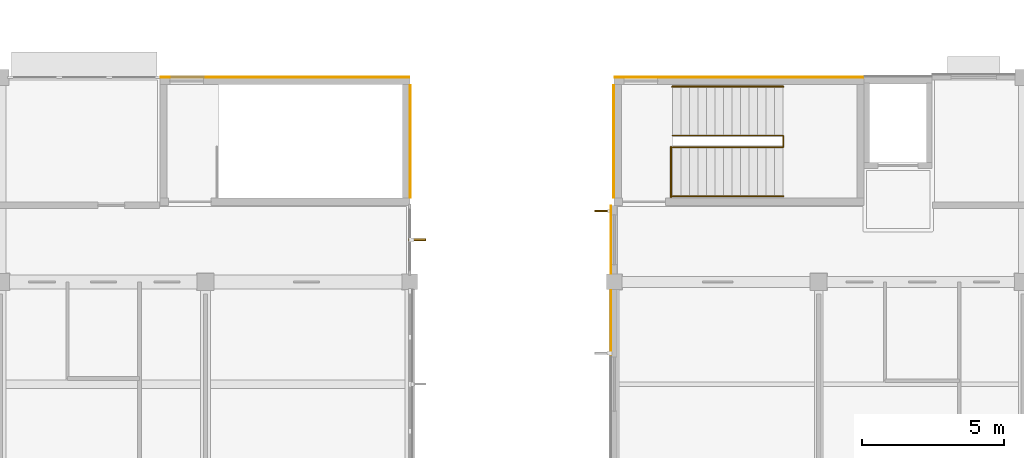
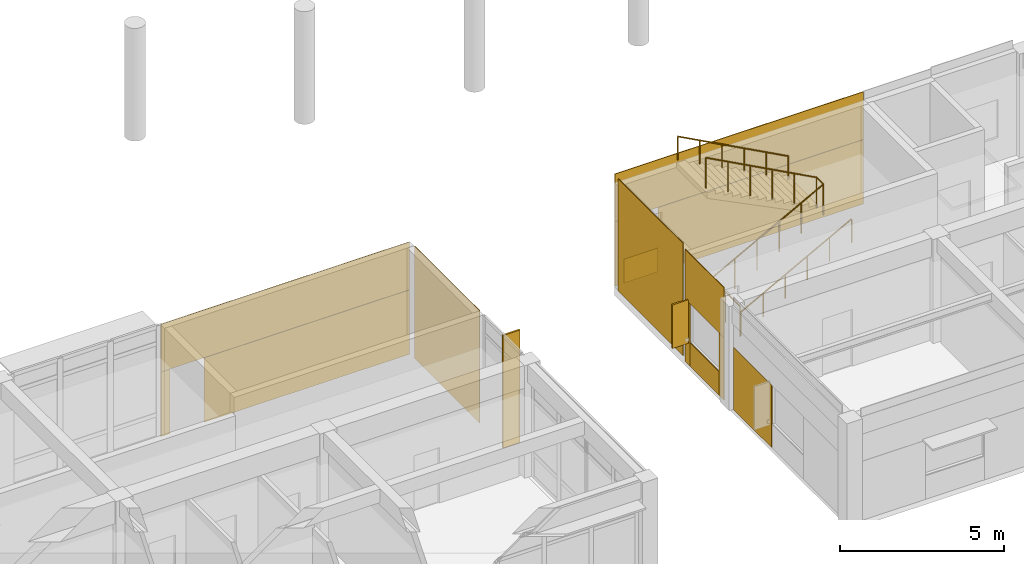
# One storey, part 32 of 41: 14 coverings, 4 railings, 2 shading devices.
"""IFC4 building model written with IfcOpenShell, lengths in metres."""

from ifc_helpers import new_model, si_unit, direction, frame, origin, origin_2d, place, context, subcontext, project, spatial, rectangle, circle, extrude, material, layer, layer_set, type_object, element, save


model = new_model("IFC4")

# Units and contexts
model_context = context("Model", 3, precision=1e-05, world=origin(), true_north=direction((0.0, 1.0)))
body_context = subcontext(model_context, "Body", "Model", "MODEL_VIEW")
ifc_project = project(units=[si_unit("LENGTHUNIT", "METRE"), si_unit("AREAUNIT", "SQUARE_METRE"), si_unit("VOLUMEUNIT", "CUBIC_METRE"), si_unit("PLANEANGLEUNIT", "RADIAN"), si_unit("MASSUNIT", "GRAM", prefix="KILO")], contexts=[model_context])

# Site, building, storey
site_placement = place(None, origin())
site = spatial("IfcSite", under=ifc_project, at=site_placement, CompositionType="ELEMENT")
building_placement = place(site_placement, origin())
building = spatial("IfcBuilding", under=site, at=building_placement, Name="Namkhue Oval Health Centre", CompositionType="ELEMENT")
storey_placement = place(building_placement, frame((0.0, 0.0, 13.800048828125)))
storey = spatial("IfcBuildingStorey", under=building, at=storey_placement, Name="L03", CompositionType="ELEMENT", Elevation=13.800048828125)

# Railings
ifc_material_1 = material(Name="Brushed stainless steel 316L balustrade with laminated glass infill", Category="steel")
railing_type_1 = type_object("IfcRailingType", Name="INTERIOR BALUSTRADE GUARD 1150", PredefinedType="BALUSTRADE", material=ifc_material_1)
railing_1_placement = place(storey_placement, frame((95.60009765625, 24.590087890625, 0.0)))
element("IfcRailing", 1, at=railing_1_placement, inside=storey, type_object=railing_type_1, Name="Stair ST-09 L03 Landing Well Edge Guard", PredefinedType="BALUSTRADE", context=body_context, shape_type="SweptSolid", body=[
    extrude(circle(Radius=0.02392578125, at=origin_2d()), frame((0.0, 0.0, 1.1259765625), z_axis=(0.0, 1.0, 0.0), x_axis=(-1.0, 0.0, 0.0)), (0.0, 0.0, 1.0), 1.77001953125),
    extrude(circle(Radius=0.02099609375, at=origin_2d()), origin(), (0.0, 0.0, 1.0), 1.101806640625),
    extrude(circle(Radius=0.02099609375, at=origin_2d()), frame((0.0, 0.885009765625, 0.0)), (0.0, 0.0, 1.0), 1.101806640625),
    extrude(circle(Radius=0.02099609375, at=origin_2d()), frame((0.0, 1.77001953125, 0.0)), (0.0, 0.0, 1.0), 1.101806640625),
])
railing_2_placement = place(storey_placement, frame((95.64990234375, 26.340087890625, 0.0)))
element("IfcRailing", 2, at=railing_2_placement, inside=storey, type_object=railing_type_1, Name="Stair ST-09 L03 Inner Well Guard", PredefinedType="BALUSTRADE", context=body_context, shape_type="SweptSolid", body=[
    extrude(circle(Radius=0.02392578125, at=origin_2d()), frame((0.0, 0.0, 1.1259765625), z_axis=(0.88049233674, 0.0, 0.474060381114), x_axis=(0.0, 1.0, 0.0)), (0.0, 0.0, 1.0), 4.429443359375),
    extrude(circle(Radius=0.02392578125, at=origin_2d()), frame((3.900146484375, 0.0, 3.2255859375), z_axis=(0.0, 1.0, 0.0), x_axis=(-1.0, 0.0, 0.0)), (0.0, 0.0, 1.0), 0.419921875),
    extrude(circle(Radius=0.02392578125, at=origin_2d()), frame((3.900146484375, 0.419921875, 3.2255859375), z_axis=(-0.880469330154, 0.0, 0.474103109733), x_axis=(0.0, -1.0, 0.0)), (0.0, 0.0, 1.0), 4.4296875),
    extrude(circle(Radius=0.02099609375, at=origin_2d()), origin(), (0.0, 0.0, 1.0), 1.101806640625),
    extrude(circle(Radius=0.02099609375, at=origin_2d()), frame((0.780029296875, 0.0, 0.419921875)), (0.0, 0.0, 1.0), 1.101806640625),
    extrude(circle(Radius=0.02099609375, at=origin_2d()), frame((1.56005859375, 0.0, 0.83984375)), (0.0, 0.0, 1.0), 1.101806640625),
    extrude(circle(Radius=0.02099609375, at=origin_2d()), frame((2.340087890625, 0.0, 1.260009765625)), (0.0, 0.0, 1.0), 1.101806640625),
    extrude(circle(Radius=0.02099609375, at=origin_2d()), frame((3.1201171875, 0.0, 1.679931640625)), (0.0, 0.0, 1.0), 1.101806640625),
    extrude(circle(Radius=0.02099609375, at=origin_2d()), frame((3.900146484375, 0.0, 2.099853515625)), (0.0, 0.0, 1.0), 1.101806640625),
    extrude(circle(Radius=0.02099609375, at=origin_2d()), frame((3.900146484375, 0.419921875, 2.099853515625)), (0.0, 0.0, 1.0), 1.101806640625),
    extrude(circle(Radius=0.02099609375, at=origin_2d()), frame((3.1201171875, 0.419921875, 2.519775390625)), (0.0, 0.0, 1.0), 1.101806640625),
    extrude(circle(Radius=0.02099609375, at=origin_2d()), frame((2.340087890625, 0.419921875, 2.93994140625)), (0.0, 0.0, 1.0), 1.101806640625),
    extrude(circle(Radius=0.02099609375, at=origin_2d()), frame((1.56005859375, 0.419921875, 3.35986328125)), (0.0, 0.0, 1.0), 1.101806640625),
    extrude(circle(Radius=0.02099609375, at=origin_2d()), frame((0.780029296875, 0.419921875, 3.780029296875)), (0.0, 0.0, 1.0), 1.101806640625),
    extrude(circle(Radius=0.02099609375, at=origin_2d()), frame((0.0, 0.419921875, 4.199951171875)), (0.0, 0.0, 1.0), 1.101806640625),
])
ifc_material_2 = material(Name="Brushed stainless steel 304 tubular handrail", Category="steel")
railing_type_2 = type_object("IfcRailingType", Name="INTERIOR STAIR HANDRAIL 900", PredefinedType="HANDRAIL", material=ifc_material_2)
railing_3_placement = place(storey_placement, frame((95.64990234375, 24.6201171875, 0.0)))
element("IfcRailing", 3, at=railing_3_placement, inside=storey, type_object=railing_type_2, Name="Stair ST-09 L03 Flight 1 Handrail", PredefinedType="HANDRAIL", context=body_context, shape_type="SweptSolid", body=[
    extrude(circle(Radius=0.02392578125, at=origin_2d()), frame((0.0, 0.0, 0.8759765625), z_axis=(0.88049233674, 0.0, 0.474060381114), x_axis=(0.0, 1.0, 0.0)), (0.0, 0.0, 1.0), 4.429443359375),
    extrude(circle(Radius=0.02099609375, at=origin_2d()), origin(), (0.0, 0.0, 1.0), 0.851806640625),
    extrude(circle(Radius=0.02099609375, at=origin_2d()), frame((0.780029296875, 0.0, 0.419921875)), (0.0, 0.0, 1.0), 0.851806640625),
    extrude(circle(Radius=0.02099609375, at=origin_2d()), frame((1.56005859375, 0.0, 0.83984375)), (0.0, 0.0, 1.0), 0.851806640625),
    extrude(circle(Radius=0.02099609375, at=origin_2d()), frame((2.340087890625, 0.0, 1.260009765625)), (0.0, 0.0, 1.0), 0.851806640625),
    extrude(circle(Radius=0.02099609375, at=origin_2d()), frame((3.1201171875, 0.0, 1.679931640625)), (0.0, 0.0, 1.0), 0.851806640625),
    extrude(circle(Radius=0.02099609375, at=origin_2d()), frame((3.900146484375, 0.0, 2.099853515625)), (0.0, 0.0, 1.0), 0.851806640625),
])
railing_4_placement = place(storey_placement, frame((99.550048828125, 28.47998046875, 2.099853515625)))
element("IfcRailing", 4, at=railing_4_placement, inside=storey, type_object=railing_type_2, Name="Stair ST-09 L03 Flight 2 Handrail", PredefinedType="HANDRAIL", context=body_context, shape_type="SweptSolid", body=[
    extrude(circle(Radius=0.02392578125, at=origin_2d()), frame((0.0, 0.0, 0.8759765625), z_axis=(-0.880469330154, 0.0, 0.474103109733), x_axis=(0.0, -1.0, 0.0)), (0.0, 0.0, 1.0), 4.4296875),
    extrude(circle(Radius=0.02099609375, at=origin_2d()), origin(), (0.0, 0.0, 1.0), 0.851806640625),
    extrude(circle(Radius=0.02099609375, at=origin_2d()), frame((-0.780029296875, 0.0, 0.419921875)), (0.0, 0.0, 1.0), 0.851806640625),
    extrude(circle(Radius=0.02099609375, at=origin_2d()), frame((-1.56005859375, 0.0, 0.840087890625)), (0.0, 0.0, 1.0), 0.851806640625),
    extrude(circle(Radius=0.02099609375, at=origin_2d()), frame((-2.340087890625, 0.0, 1.260009765625)), (0.0, 0.0, 1.0), 0.851806640625),
    extrude(circle(Radius=0.02099609375, at=origin_2d()), frame((-3.1201171875, 0.0, 1.68017578125)), (0.0, 0.0, 1.0), 0.851806640625),
    extrude(circle(Radius=0.02099609375, at=origin_2d()), frame((-3.900146484375, 0.0, 2.10009765625)), (0.0, 0.0, 1.0), 0.851806640625),
])

# Shading devices
ifc_material_3 = material(Name="Anodised aluminium EN AW-6063 T6", Category="aluminium")
shading_device_type = type_object("IfcShadingDeviceType", Name="VERTICAL SOLAR FIN 600", PredefinedType="USERDEFINED", material=ifc_material_3)
shading_device_1_placement = place(storey_placement, frame((86.659912109375, 23.08447265625, 0.0), z_axis=(0.0, 0.0, 1.0), x_axis=(1.0, 0.0, 0.0)))
element("IfcShadingDevice", 5, at=shading_device_1_placement, inside=storey, type_object=shading_device_type, Name="Volume V4 L03 Extruded Aluminium Solar Fin 233", ObjectType="SOLAR FIN", PredefinedType="USERDEFINED", context=body_context, shape_type="SweptSolid", body=[
    extrude(rectangle(XDim=0.60009765625, YDim=0.06005859375, at=origin_2d()), origin(), (0.0, 0.0, 1.0), 4.199951171875),
])
shading_device_2_placement = place(storey_placement, frame((93.219970703125, 24.099609375, 0.7998046875), z_axis=(0.0, 0.0, 1.0), x_axis=(-1.0, 0.0, 0.0)))
element("IfcShadingDevice", 6, at=shading_device_2_placement, inside=storey, type_object=shading_device_type, Name="Volume V5 L03 Window Solar Fin 284", ObjectType="SOLAR FIN", PredefinedType="USERDEFINED", context=body_context, shape_type="SweptSolid", body=[
    extrude(rectangle(XDim=0.60009765625, YDim=0.06005859375, at=origin_2d()), origin(), (0.0, 0.0, 1.0), 1.6201171875),
])

# Coverings
ifc_material_4 = material(Name="White glass-fibre reinforced concrete GRC rainscreen cladding", Category="concrete")
ifc_layer = layer(ifc_material_4, 0.02490234375)
ifc_layer_set = layer_set([ifc_layer], Name="White glass-fibre reinforced concrete GRC rainscreen cladding")
covering_type = type_object("IfcCoveringType", Name="WHITE GRC RAINSCREEN CLADDING 25", PredefinedType="CLADDING", material=ifc_layer_set)
covering_1_placement = place(storey_placement, frame((93.488037109375, 23.08447265625, 2.3349609375), z_axis=(0.0, 0.0, 1.0), x_axis=(0.0, -1.0, 0.0)))
element("IfcCovering", 7, at=covering_1_placement, inside=storey, type_object=covering_type, Name="Volume V5 L03 Facade 147 White GRC Cladding 1", PredefinedType="CLADDING", context=body_context, shape_type="SweptSolid", body=[
    extrude(rectangle(XDim=2.386962890625, YDim=0.02490234375, at=origin_2d()), origin(), (0.0, 0.0, 1.0), 1.85498046875),
])
covering_2_placement = place(storey_placement, frame((93.488037109375, 24.126220703125, 0.009765625), z_axis=(0.0, 0.0, 1.0), x_axis=(0.0, -1.0, 0.0)))
element("IfcCovering", 8, at=covering_2_placement, inside=storey, type_object=covering_type, Name="Volume V5 L03 Facade 147 White GRC Cladding 2", PredefinedType="CLADDING", context=body_context, shape_type="SweptSolid", body=[
    extrude(rectangle(XDim=0.303466796875, YDim=0.02490234375, at=origin_2d()), origin(), (0.0, 0.0, 1.0), 2.320068359375),
])
covering_3_placement = place(storey_placement, frame((93.488037109375, 23.08447265625, 0.010009765625), z_axis=(0.0, 0.0, 1.0), x_axis=(0.0, -1.0, 0.0)))
element("IfcCovering", 9, at=covering_3_placement, inside=storey, type_object=covering_type, Name="Volume V5 L03 Facade 147 White GRC Cladding 3", PredefinedType="CLADDING", context=body_context, shape_type="SweptSolid", body=[
    extrude(rectangle(XDim=1.77001953125, YDim=0.02490234375, at=origin_2d()), origin(), (0.0, 0.0, 1.0), 0.875),
])
covering_4_placement = place(storey_placement, frame((93.488037109375, 22.042724609375, 0.009765625), z_axis=(0.0, 0.0, 1.0), x_axis=(0.0, -1.0, 0.0)))
element("IfcCovering", 10, at=covering_4_placement, inside=storey, type_object=covering_type, Name="Volume V5 L03 Facade 147 White GRC Cladding 4", PredefinedType="CLADDING", context=body_context, shape_type="SweptSolid", body=[
    extrude(rectangle(XDim=0.303466796875, YDim=0.02490234375, at=origin_2d()), origin(), (0.0, 0.0, 1.0), 2.320068359375),
])
covering_5_placement = place(storey_placement, frame((93.48291015625, 20.136962890625, 0.009765625), z_axis=(0.0, 0.0, 1.0), x_axis=(0.0, -1.0, 0.0)))
element("IfcCovering", 11, at=covering_5_placement, inside=storey, type_object=covering_type, Name="Volume V5 L03 Facade 148 White GRC Cladding 2", PredefinedType="CLADDING", context=body_context, shape_type="SweptSolid", body=[
    extrude(rectangle(XDim=2.343994140625, YDim=0.02490234375, at=origin_2d()), origin(), (0.0, 0.0, 1.0), 2.320068359375),
])
covering_6_placement = place(storey_placement, frame((86.412109375, 26.550048828125, 0.009765625), z_axis=(0.0, 0.0, 1.0), x_axis=(0.0, 1.0, 0.0)))
element("IfcCovering", 12, at=covering_6_placement, inside=storey, type_object=covering_type, Name="Core SC-08 L03 Core E White GRC Cladding 1", PredefinedType="CLADDING", context=body_context, shape_type="SweptSolid", body=[
    extrude(rectangle(XDim=3.9599609375, YDim=0.02490234375, at=origin_2d()), origin(), (0.0, 0.0, 1.0), 4.179931640625),
])
covering_7_placement = place(storey_placement, frame((82.0, 28.81201171875, 2.4150390625), z_axis=(0.0, 0.0, 1.0), x_axis=(-1.0, 0.0, 0.0)))
element("IfcCovering", 13, at=covering_7_placement, inside=storey, type_object=covering_type, Name="Core SC-08 L03 Core N White GRC Cladding 1", PredefinedType="CLADDING", context=body_context, shape_type="SweptSolid", body=[
    extrude(rectangle(XDim=8.760009765625, YDim=0.02490234375, at=origin_2d()), origin(), (0.0, 0.0, 1.0), 1.77490234375),
])
covering_8_placement = place(storey_placement, frame((82.762451171875, 28.81201171875, 0.010009765625), z_axis=(0.0, 0.0, 1.0), x_axis=(-1.0, 0.0, 0.0)))
element("IfcCovering", 14, at=covering_8_placement, inside=storey, type_object=covering_type, Name="Core SC-08 L03 Core N White GRC Cladding 2", PredefinedType="CLADDING", context=body_context, shape_type="SweptSolid", body=[
    extrude(rectangle(XDim=7.235107421875, YDim=0.02490234375, at=origin_2d()), origin(), (0.0, 0.0, 1.0), 2.39990234375),
])
covering_9_placement = place(storey_placement, frame((77.777587890625, 28.81201171875, 0.010009765625), z_axis=(0.0, 0.0, 1.0), x_axis=(-1.0, 0.0, 0.0)))
element("IfcCovering", 15, at=covering_9_placement, inside=storey, type_object=covering_type, Name="Core SC-08 L03 Core N White GRC Cladding 4", PredefinedType="CLADDING", context=body_context, shape_type="SweptSolid", body=[
    extrude(rectangle(XDim=0.31494140625, YDim=0.02490234375, at=origin_2d()), origin(), (0.0, 0.0, 1.0), 2.39990234375),
])
covering_10_placement = place(storey_placement, frame((98.0, 28.81201171875, 2.4150390625), z_axis=(0.0, 0.0, 1.0), x_axis=(-1.0, 0.0, 0.0)))
element("IfcCovering", 16, at=covering_10_placement, inside=storey, type_object=covering_type, Name="Core SC-09 L03 Core N White GRC Cladding 1", PredefinedType="CLADDING", context=body_context, shape_type="SweptSolid", body=[
    extrude(rectangle(XDim=8.760009765625, YDim=0.02490234375, at=origin_2d()), origin(), (0.0, 0.0, 1.0), 1.77490234375),
])
covering_11_placement = place(storey_placement, frame((98.762451171875, 28.81201171875, 0.010009765625), z_axis=(0.0, 0.0, 1.0), x_axis=(-1.0, 0.0, 0.0)))
element("IfcCovering", 17, at=covering_11_placement, inside=storey, type_object=covering_type, Name="Core SC-09 L03 Core N White GRC Cladding 2", PredefinedType="CLADDING", context=body_context, shape_type="SweptSolid", body=[
    extrude(rectangle(XDim=7.235107421875, YDim=0.02490234375, at=origin_2d()), origin(), (0.0, 0.0, 1.0), 2.39990234375),
])
covering_12_placement = place(storey_placement, frame((94.5400390625, 28.81201171875, 0.010009765625), z_axis=(0.0, 0.0, 1.0), x_axis=(-1.0, 0.0, 0.0)))
element("IfcCovering", 18, at=covering_12_placement, inside=storey, type_object=covering_type, Name="Core SC-09 L03 Core N White GRC Cladding 3", PredefinedType="CLADDING", context=body_context, shape_type="SweptSolid", body=[
    extrude(rectangle(XDim=1.199951171875, YDim=0.02490234375, at=origin_2d()), origin(), (0.0, 0.0, 1.0), 0.89501953125),
])
covering_13_placement = place(storey_placement, frame((93.777587890625, 28.81201171875, 0.010009765625), z_axis=(0.0, 0.0, 1.0), x_axis=(-1.0, 0.0, 0.0)))
element("IfcCovering", 19, at=covering_13_placement, inside=storey, type_object=covering_type, Name="Core SC-09 L03 Core N White GRC Cladding 4", PredefinedType="CLADDING", context=body_context, shape_type="SweptSolid", body=[
    extrude(rectangle(XDim=0.31494140625, YDim=0.02490234375, at=origin_2d()), origin(), (0.0, 0.0, 1.0), 2.39990234375),
])
covering_14_placement = place(storey_placement, frame((93.587890625, 26.550048828125, 0.009765625), z_axis=(0.0, 0.0, 1.0), x_axis=(0.0, -1.0, 0.0)))
element("IfcCovering", 20, at=covering_14_placement, inside=storey, type_object=covering_type, Name="Core SC-09 L03 Core W White GRC Cladding 1", PredefinedType="CLADDING", context=body_context, shape_type="SweptSolid", body=[
    extrude(rectangle(XDim=3.9599609375, YDim=0.02490234375, at=origin_2d()), origin(), (0.0, 0.0, 1.0), 4.179931640625),
])

save(model, "model.ifc")
